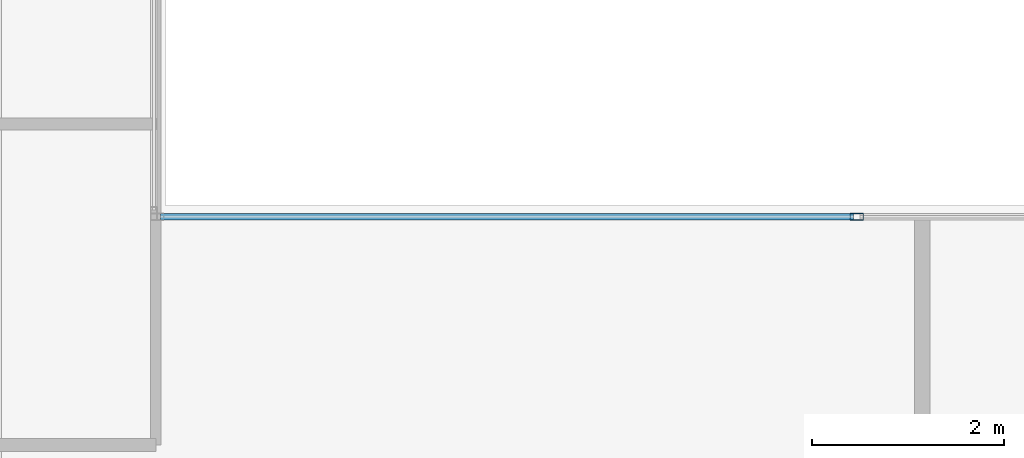
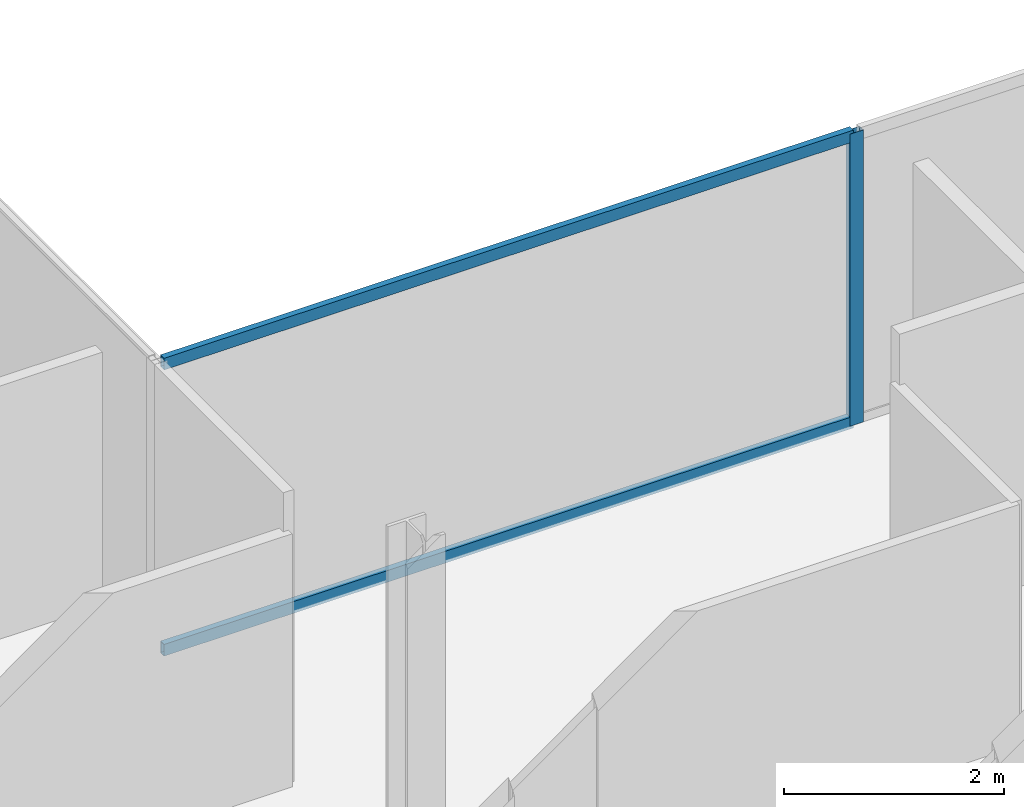
# One storey, part 9 of 23: 3 members, 1 element without a shape of its own.
"""IFC4 building model written with IfcOpenShell, lengths in metres."""

from ifc_helpers import new_model, si_unit, direction, frame, origin, origin_2d, place, context, subcontext, project, spatial, hollow_rectangle, extrude, material, material_profile, profile_set, type_object, element, aggregate, save


model = new_model("IFC4")

# Units and contexts
model_context = context("Model", 3, precision=1e-05, world=origin(), true_north=direction((0.0, 1.0)))
body_context = subcontext(model_context, "Body", "Model", "MODEL_VIEW")
ifc_project = project(units=[si_unit("LENGTHUNIT", "METRE"), si_unit("AREAUNIT", "SQUARE_METRE"), si_unit("VOLUMEUNIT", "CUBIC_METRE"), si_unit("PLANEANGLEUNIT", "RADIAN"), si_unit("MASSUNIT", "GRAM", prefix="KILO")], contexts=[model_context])

# Site, building, storey
site_placement = place(None, origin())
site = spatial("IfcSite", under=ifc_project, at=site_placement, CompositionType="ELEMENT")
building_placement = place(site_placement, origin())
building = spatial("IfcBuilding", under=site, at=building_placement, Name="Cobrela Telecom Tower", CompositionType="ELEMENT")
storey_placement = place(building_placement, frame((0.0, 0.0, 269.14990234375)))
storey = spatial("IfcBuildingStorey", under=building, at=storey_placement, Name="L70", CompositionType="ELEMENT", Elevation=269.14990234375)

# Curtain wall, members
ifc_material = material(Name="Anodized Bronze Aluminium 6063-T6", Category="aluminium")
curtain_wall_type = type_object("IfcCurtainWallType", Name="CW-SYS-OFF-HI", PredefinedType="USERDEFINED", material=ifc_material)
curtain_wall_placement = place(storey_placement, origin())
curtain_wall = element("IfcCurtainWall", 1, at=curtain_wall_placement, inside=storey, type_object=curtain_wall_type, Name="L70 Unitised Bronze Curtain Wall 09", ObjectType="UNITISED CURTAIN WALL", PredefinedType="USERDEFINED")
ifc_material_profile_1 = material_profile(ifc_material, hollow_rectangle(XDim=0.070068359375, YDim=0.139892578125, WallThickness=0.00390625, at=origin_2d()), Name="ALU 70x140x4")
ifc_profile_set_1 = profile_set([ifc_material_profile_1], Name="Anodized Bronze Aluminium 6063-T6")
member_type_1 = type_object("IfcMemberType", Name="CW-SYS-OFF-HI-MUL", PredefinedType="MULLION", material=ifc_profile_set_1)
member_1_placement = place(storey_placement, frame((28.216552734375, 25.080078125, 0.0), z_axis=(0.0, 0.0, 1.0), x_axis=(0.0, 1.0, 0.0)))
member_1 = element("IfcMember", 2, at=member_1_placement, type_object=member_type_1, Name="CW-OFF-HI mullion 2", PredefinedType="MULLION", context=body_context, shape_type="SweptSolid", body=[
    extrude(hollow_rectangle(XDim=0.070068359375, YDim=0.139892578125, WallThickness=0.00390625, at=origin_2d()), origin(), (0.0, 0.0, 1.0), 3.239990234375),
])
ifc_material_profile_2 = material_profile(ifc_material, hollow_rectangle(XDim=0.06494140625, YDim=0.1298828125, WallThickness=0.00390625, at=origin_2d()), Name="ALU 65x130x4")
ifc_profile_set_2 = profile_set([ifc_material_profile_2], Name="Anodized Bronze Aluminium 6063-T6")
member_type_2 = type_object("IfcMemberType", Name="CW-SYS-OFF-HI-TRN", PredefinedType="USERDEFINED", material=ifc_profile_set_2)
member_2_placement = place(storey_placement, frame((20.949951171875, 25.080078125, 0.03271484375), z_axis=(1.0, 0.0, 0.0), x_axis=(0.0, 1.0, 0.0)))
member_2 = element("IfcMember", 3, at=member_2_placement, type_object=member_type_2, Name="CW-OFF-HI transom 1.1", ObjectType="TRANSOM", PredefinedType="USERDEFINED", context=body_context, shape_type="SweptSolid", body=[
    extrude(hollow_rectangle(XDim=0.06494140625, YDim=0.1298828125, WallThickness=0.00390625, at=origin_2d()), origin(), (0.0, 0.0, 1.0), 7.231689453125),
])
member_3_placement = place(storey_placement, frame((20.949951171875, 25.080078125, 3.20751953125), z_axis=(1.0, 0.0, 0.0), x_axis=(0.0, 1.0, 0.0)))
member_3 = element("IfcMember", 4, at=member_3_placement, type_object=member_type_2, Name="CW-OFF-HI transom 1.2", ObjectType="TRANSOM", PredefinedType="USERDEFINED", context=body_context, shape_type="SweptSolid", body=[
    extrude(hollow_rectangle(XDim=0.06494140625, YDim=0.1298828125, WallThickness=0.00390625, at=origin_2d()), origin(), (0.0, 0.0, 1.0), 7.231689453125),
])
aggregate(curtain_wall, [member_1, member_2, member_3])

save(model, "model.ifc")
